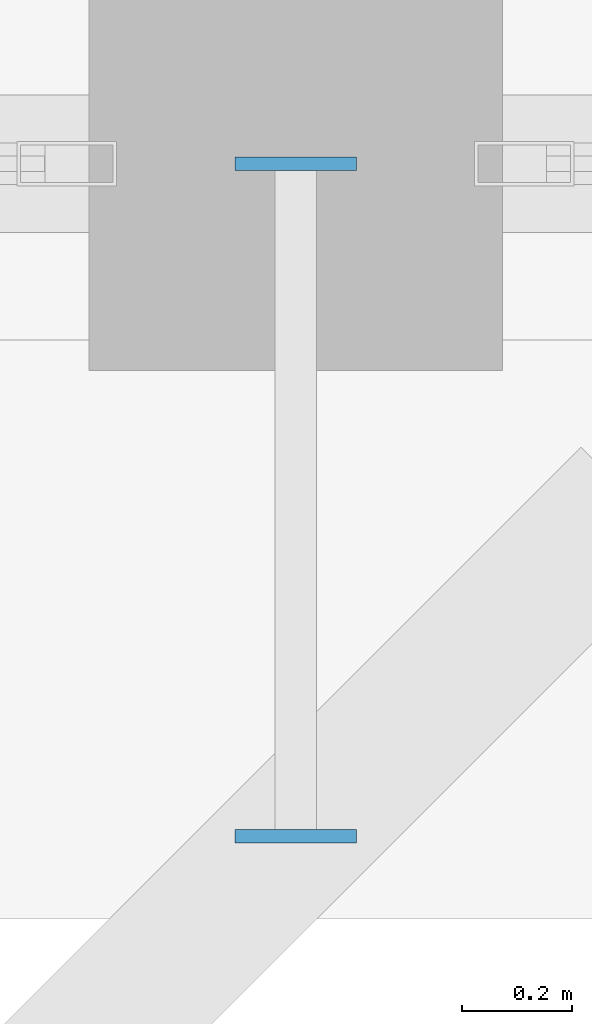
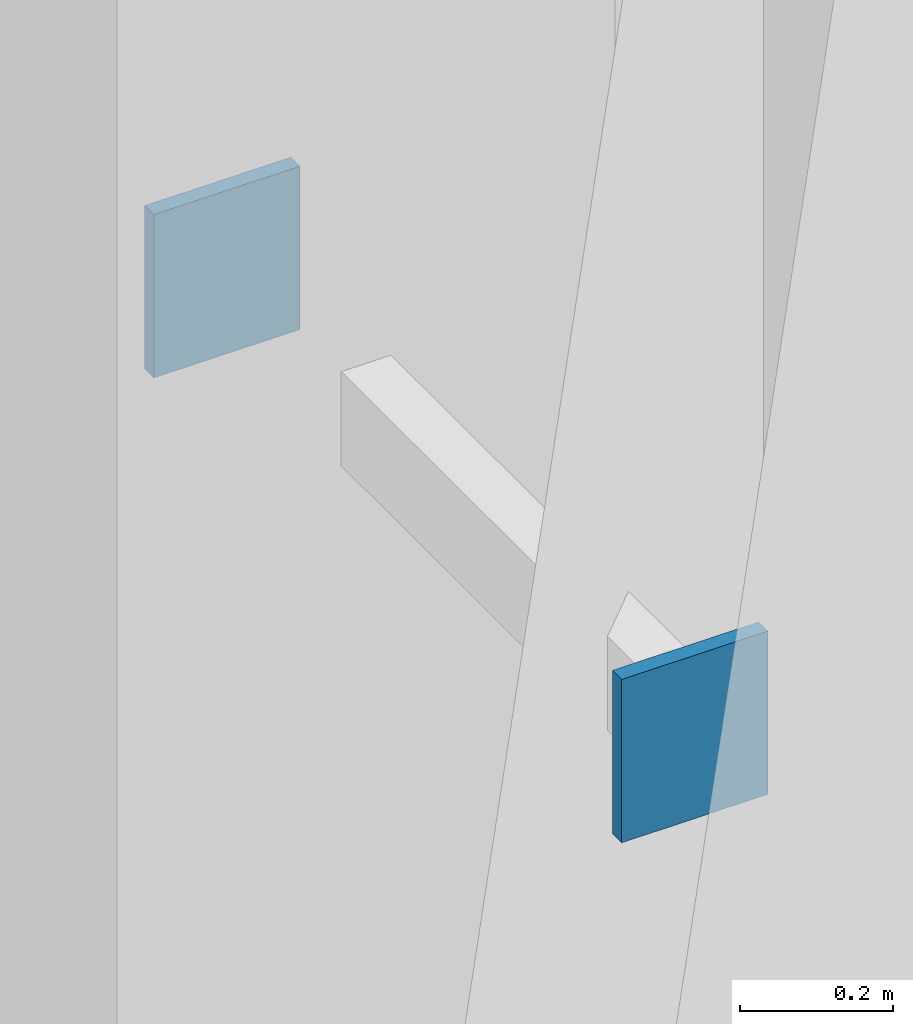
# One storey, part 30 of 37: 2 discrete accessories.
"""IFC4 building model written with IfcOpenShell, lengths in metres."""

from ifc_helpers import new_model, si_unit, direction, frame, origin, origin_2d, place, context, subcontext, project, spatial, rectangle, extrude, material, type_object, element, save


model = new_model("IFC4")

# Units and contexts
model_context = context("Model", 3, precision=1e-05, world=origin(), true_north=direction((0.0, 1.0)))
body_context = subcontext(model_context, "Body", "Model", "MODEL_VIEW")
ifc_project = project(units=[si_unit("LENGTHUNIT", "METRE"), si_unit("AREAUNIT", "SQUARE_METRE"), si_unit("VOLUMEUNIT", "CUBIC_METRE"), si_unit("PLANEANGLEUNIT", "RADIAN"), si_unit("MASSUNIT", "GRAM", prefix="KILO")], contexts=[model_context])

# Site, building, storey
site_placement = place(None, origin())
site = spatial("IfcSite", under=ifc_project, at=site_placement, CompositionType="ELEMENT")
building_placement = place(site_placement, origin())
building = spatial("IfcBuilding", under=site, at=building_placement, Name="Kandorven Conservatory and Botanical Research Centre", CompositionType="ELEMENT")
storey_placement = place(building_placement, frame((0.0, 0.0, 9.0)))
storey = spatial("IfcBuildingStorey", under=building, at=storey_placement, Name="L02", CompositionType="ELEMENT", Elevation=9.0)

# Discrete accessories
ifc_material = material(Name="Steel S355 (IS 2062 E350)", Category="steel")
discrete_accessory_type = type_object("IfcDiscreteAccessoryType", Name="SteelGussetPlate", PredefinedType="BRACKET", material=ifc_material)
for number, where, z_axis, x_axis, name in (
    (1, (27.60009765625, 6.0, 1.3701171875), (0.0, 0.0, 1.0), (1.0, 0.0, 0.0), "Welded steel strut end-plate GUS-01 #15A"),
    (2, (27.60009765625, 4.780029296875, 1.3701171875), (0.0, 0.0, 1.0), (1.0, 0.0, 0.0), "Welded steel strut end-plate GUS-01 #15B"),
):
    element("IfcDiscreteAccessory", number, at=place(storey_placement, frame(where, z_axis=z_axis, x_axis=x_axis)), inside=storey, type_object=discrete_accessory_type, Name=name, PredefinedType="BRACKET", context=body_context, shape_type="SweptSolid", body=[
        extrude(rectangle(XDim=0.219970703125, YDim=0.02392578125, at=origin_2d()), origin(), (0.0, 0.0, 1.0), 0.260009765625),
    ])

save(model, "model.ifc")
